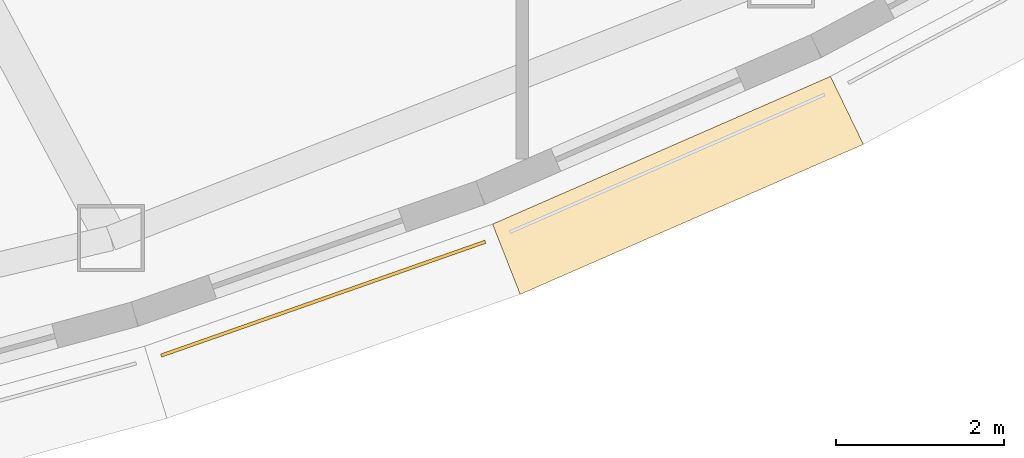
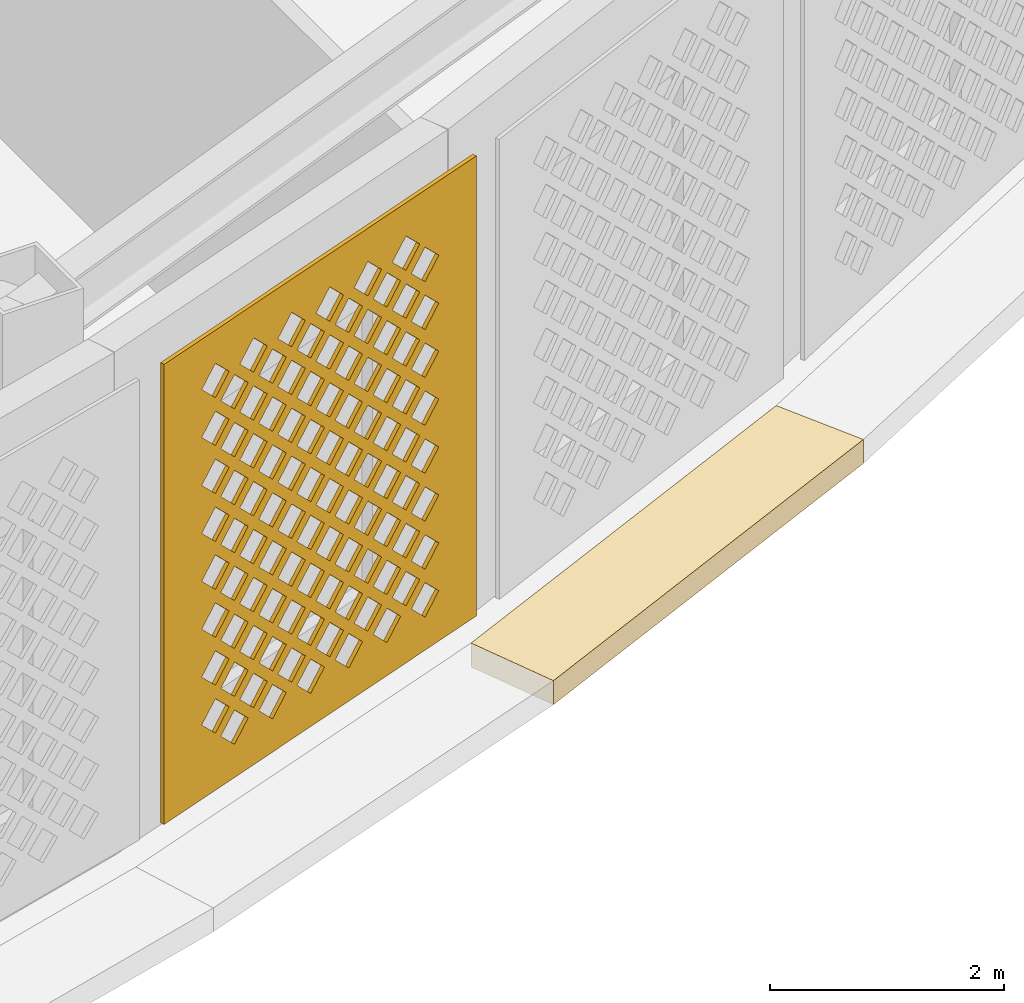
# One storey, part 57 of 69: 2 coverings.
"""IFC4 building model written with IfcOpenShell, lengths in metres."""

from ifc_helpers import new_model, si_unit, direction, frame, origin, place, context, subcontext, project, spatial, polyline, outline, extrude, material, layer, layer_set, type_object, element, save


model = new_model("IFC4")

# Units and contexts
model_context = context("Model", 3, precision=1e-05, world=origin(), true_north=direction((0.0, 1.0)))
body_context = subcontext(model_context, "Body", "Model", "MODEL_VIEW")
ifc_project = project(units=[si_unit("LENGTHUNIT", "METRE"), si_unit("AREAUNIT", "SQUARE_METRE"), si_unit("VOLUMEUNIT", "CUBIC_METRE"), si_unit("PLANEANGLEUNIT", "RADIAN"), si_unit("MASSUNIT", "GRAM", prefix="KILO")], contexts=[model_context])

# Site, building, storey
site_placement = place(None, origin())
site = spatial("IfcSite", under=ifc_project, at=site_placement, CompositionType="ELEMENT")
building_placement = place(site_placement, origin())
building = spatial("IfcBuilding", under=site, at=building_placement, Name="Noorbagh Ring Tower", CompositionType="ELEMENT")
storey_placement = place(building_placement, frame((0.0, 0.0, 19.5)))
storey = spatial("IfcBuildingStorey", under=building, at=storey_placement, Name="L03", CompositionType="ELEMENT", Elevation=19.5)

# Coverings
ifc_material_1 = material(Name="Red sandstone eave", Category="masonry")
covering_type_1 = type_object("IfcCoveringType", Name="STY-CHHAJJA", PredefinedType="USERDEFINED", material=ifc_material_1)
covering_1_placement = place(storey_placement, frame((0.0, 0.0, -0.25)))
element("IfcCovering", 1, at=covering_1_placement, inside=storey, type_object=covering_type_1, Name="Chhajja eave", ObjectType="CHHAJJA", PredefinedType="USERDEFINED", context=body_context, shape_type="SweptSolid", body=[
    extrude(outline(polyline([(23.647216796875, -35.624755859375), (27.67578125, -33.864013671875), (28.068603515625, -34.674560546875), (23.976806640625, -36.462890625), (23.647216796875, -35.624755859375)])), origin(), (0.0, 0.0, 1.0), 0.25),
])
ifc_material_2 = material(Name="Red sandstone jali", Category="masonry")
ifc_layer = layer(ifc_material_2, 0.0400390625)
ifc_layer_set = layer_set([ifc_layer], Name="Red sandstone jali")
covering_type_2 = type_object("IfcCoveringType", Name="STY-JALI", PredefinedType="USERDEFINED", material=ifc_layer_set)
covering_2_placement = place(storey_placement, frame((19.702880859375, -37.2109375, 0.449951171875), z_axis=(0.331258049676, -0.94354019762, 0.0), x_axis=(0.94354019762, 0.331258049676, 0.0)))
element("IfcCovering", 2, at=covering_2_placement, inside=storey, type_object=covering_type_2, Name="Jali screen", ObjectType="SCREEN", PredefinedType="USERDEFINED", context=body_context, shape_type="SweptSolid", body=[
    extrude(outline(polyline([(0.0, 0.0), (4.096923828125, 0.0), (4.096923828125, 4.800048828125), (0.0, 4.800048828125), (0.0, 0.0)]), holes=[polyline([(0.743408203125, 0.52490234375), (0.92333984375, 0.344970703125), (1.103515625, 0.52490234375), (0.92333984375, 0.705078125), (0.743408203125, 0.52490234375)]), polyline([(1.243408203125, 0.52490234375), (1.42333984375, 0.344970703125), (1.603515625, 0.52490234375), (1.42333984375, 0.705078125), (1.243408203125, 0.52490234375)]), polyline([(1.743408203125, 0.52490234375), (1.92333984375, 0.344970703125), (2.103515625, 0.52490234375), (1.92333984375, 0.705078125), (1.743408203125, 0.52490234375)]), polyline([(2.243408203125, 0.52490234375), (2.42333984375, 0.344970703125), (2.603515625, 0.52490234375), (2.42333984375, 0.705078125), (2.243408203125, 0.52490234375)]), polyline([(2.743408203125, 0.52490234375), (2.92333984375, 0.344970703125), (3.103515625, 0.52490234375), (2.92333984375, 0.705078125), (2.743408203125, 0.52490234375)]), polyline([(3.243408203125, 0.52490234375), (3.42333984375, 0.344970703125), (3.603515625, 0.52490234375), (3.42333984375, 0.705078125), (3.243408203125, 0.52490234375)]), polyline([(0.493408203125, 0.77490234375), (0.67333984375, 0.594970703125), (0.853515625, 0.77490234375), (0.67333984375, 0.955078125), (0.493408203125, 0.77490234375)]), polyline([(0.993408203125, 0.77490234375), (1.17333984375, 0.594970703125), (1.353515625, 0.77490234375), (1.17333984375, 0.955078125), (0.993408203125, 0.77490234375)]), polyline([(1.493408203125, 0.77490234375), (1.67333984375, 0.594970703125), (1.853515625, 0.77490234375), (1.67333984375, 0.955078125), (1.493408203125, 0.77490234375)]), polyline([(1.993408203125, 0.77490234375), (2.17333984375, 0.594970703125), (2.353515625, 0.77490234375), (2.17333984375, 0.955078125), (1.993408203125, 0.77490234375)]), polyline([(2.493408203125, 0.77490234375), (2.67333984375, 0.594970703125), (2.853515625, 0.77490234375), (2.67333984375, 0.955078125), (2.493408203125, 0.77490234375)]), polyline([(2.993408203125, 0.77490234375), (3.17333984375, 0.594970703125), (3.353515625, 0.77490234375), (3.17333984375, 0.955078125), (2.993408203125, 0.77490234375)]), polyline([(0.743408203125, 1.02490234375), (0.92333984375, 0.844970703125), (1.103515625, 1.02490234375), (0.92333984375, 1.205078125), (0.743408203125, 1.02490234375)]), polyline([(1.243408203125, 1.02490234375), (1.42333984375, 0.844970703125), (1.603515625, 1.02490234375), (1.42333984375, 1.205078125), (1.243408203125, 1.02490234375)]), polyline([(1.743408203125, 1.02490234375), (1.92333984375, 0.844970703125), (2.103515625, 1.02490234375), (1.92333984375, 1.205078125), (1.743408203125, 1.02490234375)]), polyline([(2.243408203125, 1.02490234375), (2.42333984375, 0.844970703125), (2.603515625, 1.02490234375), (2.42333984375, 1.205078125), (2.243408203125, 1.02490234375)]), polyline([(2.743408203125, 1.02490234375), (2.92333984375, 0.844970703125), (3.103515625, 1.02490234375), (2.92333984375, 1.205078125), (2.743408203125, 1.02490234375)]), polyline([(3.243408203125, 1.02490234375), (3.42333984375, 0.844970703125), (3.603515625, 1.02490234375), (3.42333984375, 1.205078125), (3.243408203125, 1.02490234375)]), polyline([(0.493408203125, 1.27490234375), (0.67333984375, 1.094970703125), (0.853515625, 1.27490234375), (0.67333984375, 1.455078125), (0.493408203125, 1.27490234375)]), polyline([(0.993408203125, 1.27490234375), (1.17333984375, 1.094970703125), (1.353515625, 1.27490234375), (1.17333984375, 1.455078125), (0.993408203125, 1.27490234375)]), polyline([(1.493408203125, 1.27490234375), (1.67333984375, 1.094970703125), (1.853515625, 1.27490234375), (1.67333984375, 1.455078125), (1.493408203125, 1.27490234375)]), polyline([(1.993408203125, 1.27490234375), (2.17333984375, 1.094970703125), (2.353515625, 1.27490234375), (2.17333984375, 1.455078125), (1.993408203125, 1.27490234375)]), polyline([(2.493408203125, 1.27490234375), (2.67333984375, 1.094970703125), (2.853515625, 1.27490234375), (2.67333984375, 1.455078125), (2.493408203125, 1.27490234375)]), polyline([(2.993408203125, 1.27490234375), (3.17333984375, 1.094970703125), (3.353515625, 1.27490234375), (3.17333984375, 1.455078125), (2.993408203125, 1.27490234375)]), polyline([(0.743408203125, 1.52490234375), (0.92333984375, 1.344970703125), (1.103515625, 1.52490234375), (0.92333984375, 1.705078125), (0.743408203125, 1.52490234375)]), polyline([(1.243408203125, 1.52490234375), (1.42333984375, 1.344970703125), (1.603515625, 1.52490234375), (1.42333984375, 1.705078125), (1.243408203125, 1.52490234375)]), polyline([(1.743408203125, 1.52490234375), (1.92333984375, 1.344970703125), (2.103515625, 1.52490234375), (1.92333984375, 1.705078125), (1.743408203125, 1.52490234375)]), polyline([(2.243408203125, 1.52490234375), (2.42333984375, 1.344970703125), (2.603515625, 1.52490234375), (2.42333984375, 1.705078125), (2.243408203125, 1.52490234375)]), polyline([(2.743408203125, 1.52490234375), (2.92333984375, 1.344970703125), (3.103515625, 1.52490234375), (2.92333984375, 1.705078125), (2.743408203125, 1.52490234375)]), polyline([(3.243408203125, 1.52490234375), (3.42333984375, 1.344970703125), (3.603515625, 1.52490234375), (3.42333984375, 1.705078125), (3.243408203125, 1.52490234375)]), polyline([(0.493408203125, 1.77490234375), (0.67333984375, 1.594970703125), (0.853515625, 1.77490234375), (0.67333984375, 1.955078125), (0.493408203125, 1.77490234375)]), polyline([(0.993408203125, 1.77490234375), (1.17333984375, 1.594970703125), (1.353515625, 1.77490234375), (1.17333984375, 1.955078125), (0.993408203125, 1.77490234375)]), polyline([(1.493408203125, 1.77490234375), (1.67333984375, 1.594970703125), (1.853515625, 1.77490234375), (1.67333984375, 1.955078125), (1.493408203125, 1.77490234375)]), polyline([(1.993408203125, 1.77490234375), (2.17333984375, 1.594970703125), (2.353515625, 1.77490234375), (2.17333984375, 1.955078125), (1.993408203125, 1.77490234375)]), polyline([(2.493408203125, 1.77490234375), (2.67333984375, 1.594970703125), (2.853515625, 1.77490234375), (2.67333984375, 1.955078125), (2.493408203125, 1.77490234375)]), polyline([(2.993408203125, 1.77490234375), (3.17333984375, 1.594970703125), (3.353515625, 1.77490234375), (3.17333984375, 1.955078125), (2.993408203125, 1.77490234375)]), polyline([(0.743408203125, 2.02490234375), (0.92333984375, 1.844970703125), (1.103515625, 2.02490234375), (0.92333984375, 2.205078125), (0.743408203125, 2.02490234375)]), polyline([(1.243408203125, 2.02490234375), (1.42333984375, 1.844970703125), (1.603515625, 2.02490234375), (1.42333984375, 2.205078125), (1.243408203125, 2.02490234375)]), polyline([(1.743408203125, 2.02490234375), (1.92333984375, 1.844970703125), (2.103515625, 2.02490234375), (1.92333984375, 2.205078125), (1.743408203125, 2.02490234375)]), polyline([(2.243408203125, 2.02490234375), (2.42333984375, 1.844970703125), (2.603515625, 2.02490234375), (2.42333984375, 2.205078125), (2.243408203125, 2.02490234375)]), polyline([(2.743408203125, 2.02490234375), (2.92333984375, 1.844970703125), (3.103515625, 2.02490234375), (2.92333984375, 2.205078125), (2.743408203125, 2.02490234375)]), polyline([(3.243408203125, 2.02490234375), (3.42333984375, 1.844970703125), (3.603515625, 2.02490234375), (3.42333984375, 2.205078125), (3.243408203125, 2.02490234375)]), polyline([(0.493408203125, 2.27490234375), (0.67333984375, 2.094970703125), (0.853515625, 2.27490234375), (0.67333984375, 2.455078125), (0.493408203125, 2.27490234375)]), polyline([(0.993408203125, 2.27490234375), (1.17333984375, 2.094970703125), (1.353515625, 2.27490234375), (1.17333984375, 2.455078125), (0.993408203125, 2.27490234375)]), polyline([(1.493408203125, 2.27490234375), (1.67333984375, 2.094970703125), (1.853515625, 2.27490234375), (1.67333984375, 2.455078125), (1.493408203125, 2.27490234375)]), polyline([(1.993408203125, 2.27490234375), (2.17333984375, 2.094970703125), (2.353515625, 2.27490234375), (2.17333984375, 2.455078125), (1.993408203125, 2.27490234375)]), polyline([(2.493408203125, 2.27490234375), (2.67333984375, 2.094970703125), (2.853515625, 2.27490234375), (2.67333984375, 2.455078125), (2.493408203125, 2.27490234375)]), polyline([(2.993408203125, 2.27490234375), (3.17333984375, 2.094970703125), (3.353515625, 2.27490234375), (3.17333984375, 2.455078125), (2.993408203125, 2.27490234375)]), polyline([(0.743408203125, 2.52490234375), (0.92333984375, 2.344970703125), (1.103515625, 2.52490234375), (0.92333984375, 2.705078125), (0.743408203125, 2.52490234375)]), polyline([(1.243408203125, 2.52490234375), (1.42333984375, 2.344970703125), (1.603515625, 2.52490234375), (1.42333984375, 2.705078125), (1.243408203125, 2.52490234375)]), polyline([(1.743408203125, 2.52490234375), (1.92333984375, 2.344970703125), (2.103515625, 2.52490234375), (1.92333984375, 2.705078125), (1.743408203125, 2.52490234375)]), polyline([(2.243408203125, 2.52490234375), (2.42333984375, 2.344970703125), (2.603515625, 2.52490234375), (2.42333984375, 2.705078125), (2.243408203125, 2.52490234375)]), polyline([(2.743408203125, 2.52490234375), (2.92333984375, 2.344970703125), (3.103515625, 2.52490234375), (2.92333984375, 2.705078125), (2.743408203125, 2.52490234375)]), polyline([(3.243408203125, 2.52490234375), (3.42333984375, 2.344970703125), (3.603515625, 2.52490234375), (3.42333984375, 2.705078125), (3.243408203125, 2.52490234375)]), polyline([(0.493408203125, 2.77490234375), (0.67333984375, 2.594970703125), (0.853515625, 2.77490234375), (0.67333984375, 2.955078125), (0.493408203125, 2.77490234375)]), polyline([(0.993408203125, 2.77490234375), (1.17333984375, 2.594970703125), (1.353515625, 2.77490234375), (1.17333984375, 2.955078125), (0.993408203125, 2.77490234375)]), polyline([(1.493408203125, 2.77490234375), (1.67333984375, 2.594970703125), (1.853515625, 2.77490234375), (1.67333984375, 2.955078125), (1.493408203125, 2.77490234375)]), polyline([(1.993408203125, 2.77490234375), (2.17333984375, 2.594970703125), (2.353515625, 2.77490234375), (2.17333984375, 2.955078125), (1.993408203125, 2.77490234375)]), polyline([(2.493408203125, 2.77490234375), (2.67333984375, 2.594970703125), (2.853515625, 2.77490234375), (2.67333984375, 2.955078125), (2.493408203125, 2.77490234375)]), polyline([(2.993408203125, 2.77490234375), (3.17333984375, 2.594970703125), (3.353515625, 2.77490234375), (3.17333984375, 2.955078125), (2.993408203125, 2.77490234375)]), polyline([(0.743408203125, 3.02490234375), (0.92333984375, 2.844970703125), (1.103515625, 3.02490234375), (0.92333984375, 3.205078125), (0.743408203125, 3.02490234375)]), polyline([(1.243408203125, 3.02490234375), (1.42333984375, 2.844970703125), (1.603515625, 3.02490234375), (1.42333984375, 3.205078125), (1.243408203125, 3.02490234375)]), polyline([(1.743408203125, 3.02490234375), (1.92333984375, 2.844970703125), (2.103515625, 3.02490234375), (1.92333984375, 3.205078125), (1.743408203125, 3.02490234375)]), polyline([(2.243408203125, 3.02490234375), (2.42333984375, 2.844970703125), (2.603515625, 3.02490234375), (2.42333984375, 3.205078125), (2.243408203125, 3.02490234375)]), polyline([(2.743408203125, 3.02490234375), (2.92333984375, 2.844970703125), (3.103515625, 3.02490234375), (2.92333984375, 3.205078125), (2.743408203125, 3.02490234375)]), polyline([(3.243408203125, 3.02490234375), (3.42333984375, 2.844970703125), (3.603515625, 3.02490234375), (3.42333984375, 3.205078125), (3.243408203125, 3.02490234375)]), polyline([(0.493408203125, 3.27490234375), (0.67333984375, 3.094970703125), (0.853515625, 3.27490234375), (0.67333984375, 3.455078125), (0.493408203125, 3.27490234375)]), polyline([(0.993408203125, 3.27490234375), (1.17333984375, 3.094970703125), (1.353515625, 3.27490234375), (1.17333984375, 3.455078125), (0.993408203125, 3.27490234375)]), polyline([(1.493408203125, 3.27490234375), (1.67333984375, 3.094970703125), (1.853515625, 3.27490234375), (1.67333984375, 3.455078125), (1.493408203125, 3.27490234375)]), polyline([(1.993408203125, 3.27490234375), (2.17333984375, 3.094970703125), (2.353515625, 3.27490234375), (2.17333984375, 3.455078125), (1.993408203125, 3.27490234375)]), polyline([(2.493408203125, 3.27490234375), (2.67333984375, 3.094970703125), (2.853515625, 3.27490234375), (2.67333984375, 3.455078125), (2.493408203125, 3.27490234375)]), polyline([(2.993408203125, 3.27490234375), (3.17333984375, 3.094970703125), (3.353515625, 3.27490234375), (3.17333984375, 3.455078125), (2.993408203125, 3.27490234375)]), polyline([(0.743408203125, 3.52490234375), (0.92333984375, 3.344970703125), (1.103515625, 3.52490234375), (0.92333984375, 3.705078125), (0.743408203125, 3.52490234375)]), polyline([(1.243408203125, 3.52490234375), (1.42333984375, 3.344970703125), (1.603515625, 3.52490234375), (1.42333984375, 3.705078125), (1.243408203125, 3.52490234375)]), polyline([(1.743408203125, 3.52490234375), (1.92333984375, 3.344970703125), (2.103515625, 3.52490234375), (1.92333984375, 3.705078125), (1.743408203125, 3.52490234375)]), polyline([(2.243408203125, 3.52490234375), (2.42333984375, 3.344970703125), (2.603515625, 3.52490234375), (2.42333984375, 3.705078125), (2.243408203125, 3.52490234375)]), polyline([(2.743408203125, 3.52490234375), (2.92333984375, 3.344970703125), (3.103515625, 3.52490234375), (2.92333984375, 3.705078125), (2.743408203125, 3.52490234375)]), polyline([(3.243408203125, 3.52490234375), (3.42333984375, 3.344970703125), (3.603515625, 3.52490234375), (3.42333984375, 3.705078125), (3.243408203125, 3.52490234375)]), polyline([(0.493408203125, 3.77490234375), (0.67333984375, 3.594970703125), (0.853515625, 3.77490234375), (0.67333984375, 3.955078125), (0.493408203125, 3.77490234375)]), polyline([(0.993408203125, 3.77490234375), (1.17333984375, 3.594970703125), (1.353515625, 3.77490234375), (1.17333984375, 3.955078125), (0.993408203125, 3.77490234375)]), polyline([(1.493408203125, 3.77490234375), (1.67333984375, 3.594970703125), (1.853515625, 3.77490234375), (1.67333984375, 3.955078125), (1.493408203125, 3.77490234375)]), polyline([(1.993408203125, 3.77490234375), (2.17333984375, 3.594970703125), (2.353515625, 3.77490234375), (2.17333984375, 3.955078125), (1.993408203125, 3.77490234375)]), polyline([(2.493408203125, 3.77490234375), (2.67333984375, 3.594970703125), (2.853515625, 3.77490234375), (2.67333984375, 3.955078125), (2.493408203125, 3.77490234375)]), polyline([(2.993408203125, 3.77490234375), (3.17333984375, 3.594970703125), (3.353515625, 3.77490234375), (3.17333984375, 3.955078125), (2.993408203125, 3.77490234375)]), polyline([(0.743408203125, 4.02490234375), (0.92333984375, 3.844970703125), (1.103515625, 4.02490234375), (0.92333984375, 4.205078125), (0.743408203125, 4.02490234375)]), polyline([(1.243408203125, 4.02490234375), (1.42333984375, 3.844970703125), (1.603515625, 4.02490234375), (1.42333984375, 4.205078125), (1.243408203125, 4.02490234375)]), polyline([(1.743408203125, 4.02490234375), (1.92333984375, 3.844970703125), (2.103515625, 4.02490234375), (1.92333984375, 4.205078125), (1.743408203125, 4.02490234375)]), polyline([(2.243408203125, 4.02490234375), (2.42333984375, 3.844970703125), (2.603515625, 4.02490234375), (2.42333984375, 4.205078125), (2.243408203125, 4.02490234375)]), polyline([(2.743408203125, 4.02490234375), (2.92333984375, 3.844970703125), (3.103515625, 4.02490234375), (2.92333984375, 4.205078125), (2.743408203125, 4.02490234375)]), polyline([(3.243408203125, 4.02490234375), (3.42333984375, 3.844970703125), (3.603515625, 4.02490234375), (3.42333984375, 4.205078125), (3.243408203125, 4.02490234375)]), polyline([(0.493408203125, 4.27490234375), (0.67333984375, 4.094970703125), (0.853515625, 4.27490234375), (0.67333984375, 4.455078125), (0.493408203125, 4.27490234375)]), polyline([(0.993408203125, 4.27490234375), (1.17333984375, 4.094970703125), (1.353515625, 4.27490234375), (1.17333984375, 4.455078125), (0.993408203125, 4.27490234375)]), polyline([(1.493408203125, 4.27490234375), (1.67333984375, 4.094970703125), (1.853515625, 4.27490234375), (1.67333984375, 4.455078125), (1.493408203125, 4.27490234375)]), polyline([(1.993408203125, 4.27490234375), (2.17333984375, 4.094970703125), (2.353515625, 4.27490234375), (2.17333984375, 4.455078125), (1.993408203125, 4.27490234375)]), polyline([(2.493408203125, 4.27490234375), (2.67333984375, 4.094970703125), (2.853515625, 4.27490234375), (2.67333984375, 4.455078125), (2.493408203125, 4.27490234375)]), polyline([(2.993408203125, 4.27490234375), (3.17333984375, 4.094970703125), (3.353515625, 4.27490234375), (3.17333984375, 4.455078125), (2.993408203125, 4.27490234375)])]), origin(), (0.0, 0.0, -1.0), 0.0400390625),
])

save(model, "model.ifc")
